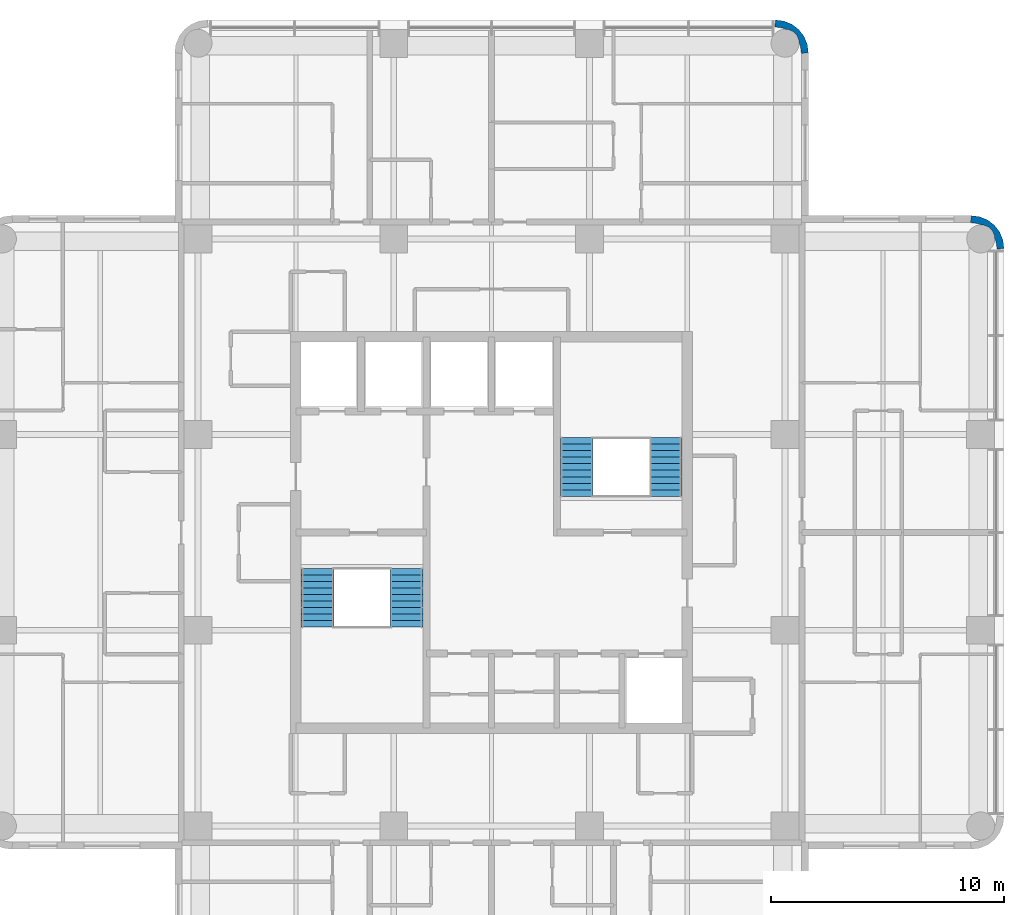
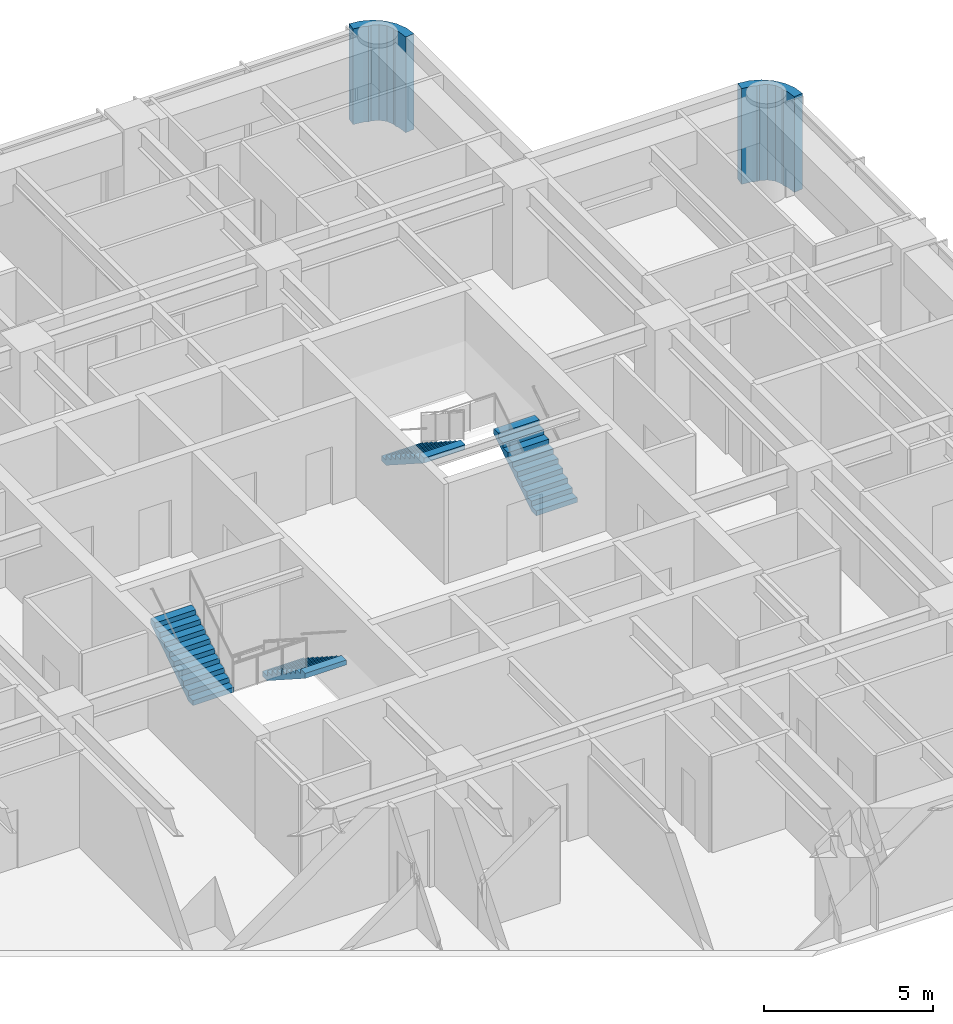
# One storey, part 9 of 10: 4 stair flights, 2 walls, 2 elements without a shape of their own.
"""IFC4 building model written with IfcOpenShell, lengths in metres."""

from ifc_helpers import new_model, si_unit, direction, frame, origin, place, context, subcontext, project, spatial, polyline, outline, extrude, material, layer, layer_set, type_object, element, aggregate, save


model = new_model("IFC4")

# Units and contexts
model_context = context("Model", 3, precision=1e-05, world=origin(), true_north=direction((0.0, 1.0)))
body_context = subcontext(model_context, "Body", "Model", "MODEL_VIEW")
ifc_project = project(units=[si_unit("LENGTHUNIT", "METRE"), si_unit("AREAUNIT", "SQUARE_METRE"), si_unit("VOLUMEUNIT", "CUBIC_METRE"), si_unit("PLANEANGLEUNIT", "RADIAN"), si_unit("MASSUNIT", "GRAM", prefix="KILO")], contexts=[model_context])

# Site, building, storey
site_placement = place(None, origin())
site = spatial("IfcSite", under=ifc_project, at=site_placement, CompositionType="ELEMENT")
building_placement = place(site_placement, origin())
building = spatial("IfcBuilding", under=site, at=building_placement, Name="Torre Alcanfor", CompositionType="ELEMENT")
storey_placement = place(building_placement, frame((0.0, 0.0, 272.10009765625)))
storey = spatial("IfcBuildingStorey", under=building, at=storey_placement, Name="L71", CompositionType="ELEMENT", Elevation=272.10009765625)

# Walls
ifc_material_1 = material(Name="Limestone cladding", Category="masonry")
ifc_layer_1 = layer(ifc_material_1, 0.0400390625, Name="Facing")
ifc_material_2 = material(Name="Ventilated air cavity")
ifc_layer_2 = layer(ifc_material_2, 0.02001953125, ventilated=True, Name="Ventilated joint")
ifc_material_3 = material(Name="Mineral wool insulation", Category="insulation")
ifc_layer_3 = layer(ifc_material_3, 0.10009765625, Name="Insulation")
ifc_material_4 = material(Name="Concrete f'c 35 MPa", Category="concrete")
ifc_layer_4 = layer(ifc_material_4, 0.139892578125, Name="Backing")
ifc_layer_set = layer_set([ifc_layer_1, ifc_layer_2, ifc_layer_3, ifc_layer_4], Name="Rounded corner pier stone-clad 300")
wall_type = type_object("IfcWallType", Name="Rounded corner pier stone-clad 300", PredefinedType="SOLIDWALL", material=ifc_layer_set)
wall_1_placement = place(storey_placement, frame((50.975898117, 41.638418254, 0.0), z_axis=(0.0, 0.0, 1.0), x_axis=(0.707106781187, 0.707106781187, 0.0)))
element("IfcWall", 1, at=wall_1_placement, inside=storey, type_object=wall_type, Name="Corner pier L71 18", PredefinedType="SOLIDWALL", context=body_context, shape_type="SweptSolid", body=[
    extrude(outline(polyline([(0.23318643990489343, 0.11416555226925765), (0.04674226908422171, -0.12890240376361806), (0.032758956272671336, -0.14288571657516844), (0.27271950945853585, -0.32691301851483145), (0.4952440800028376, -0.03706138628528721), (0.6350772081183413, 0.3006097230899294), (0.682724051772513, 0.6627947882582343), (0.6350772081183413, 1.0253251204095404), (0.4952440800028376, 1.3629962297847569), (0.27271950945853585, 1.6528478620143012), (0.032586322781170685, 1.4686479265831376), (0.04656963559272109, 1.454664613771587), (0.2330138064133928, 1.2115966577387114), (0.2922270939981062, 1.0691740272506984), (0.35800045425984317, 1.0034006669889615), (0.44949620475517277, 0.7824297978681654), (0.4493235712636722, 0.5433324121398039), (0.3578278207683425, 0.32236154301900777), (0.29222709399810615, 0.2567608162487714), (0.23318643990489343, 0.11416555226925765)])), origin(), (0.0, 0.0, 1.0), 3.449951171875),
])
wall_2_placement = place(storey_placement, frame((42.575898117, 50.038418254, 0.0), z_axis=(0.0, 0.0, 1.0), x_axis=(0.707106781187, 0.707106781187, 0.0)))
element("IfcWall", 2, at=wall_2_placement, inside=storey, type_object=wall_type, Name="Corner pier L71 19", PredefinedType="SOLIDWALL", context=body_context, shape_type="SweptSolid", body=[
    extrude(outline(polyline([(0.2330138064133928, 0.11420007896755979), (0.0465696355927211, -0.12886787706531594), (0.03258632278117072, -0.14285118987686632), (0.27271950945853585, -0.32705112530802993), (0.4952440800028376, -0.03719949307848569), (0.6350772081183413, 0.3004716162967309), (0.682724051772513, 0.663001948448037), (0.6350772081183413, 1.025187013616342), (0.4952440800028376, 1.3628581229915584), (0.27271950945853596, 1.6527097552211027), (0.032758956272671336, 1.4686824532814398), (0.046742269084221744, 1.4546991404698892), (0.23318643990489346, 1.2116311844370136), (0.2922270939981061, 1.0690359204575), (0.35782782076834246, 1.0034351936872634), (0.4493235712636722, 0.7824643245664674), (0.44949620475517277, 0.543366938838106), (0.3580004542598431, 0.3223960697173099), (0.29222709399810615, 0.2566227094555729), (0.2330138064133928, 0.11420007896755979)])), origin(), (0.0, 0.0, 1.0), 3.449951171875),
])

# Stair, stair flights
ifc_material_5 = material(Name="Concrete f'c 35 MPa", Category="concrete")
stair_type_1 = type_object("IfcStairType", Name="Exit stair S1 1400 wide", PredefinedType="HALF_TURN_STAIR", material=ifc_material_5)
stair_1_placement = place(storey_placement, origin())
stair_1 = element("IfcStair", 3, at=stair_1_placement, inside=storey, type_object=stair_type_1, Name="Stair S1 L71 to L72", PredefinedType="HALF_TURN_STAIR")
ifc_material_6 = material(Name="Concrete f'c 35 MPa", Category="concrete")
stair_flight_type = type_object("IfcStairFlightType", Name="Stair flight 1400", PredefinedType="STRAIGHT", material=ifc_material_6)
stair_flight_1_placement = place(storey_placement, frame((25.75, 27.85009765625, 0.0), z_axis=(0.0, 0.0, 1.0), x_axis=(0.0, -1.0, 0.0)))
stair_flight_1 = element("IfcStairFlight", 4, at=stair_flight_1_placement, type_object=stair_flight_type, Name="S1 flight 1", NumberOfRisers=10, NumberOfTreads=9, PredefinedType="STRAIGHT", RiserHeight=0.18, TreadLength=0.28, context=body_context, shape_type="SweptSolid", body=[
    extrude(outline(polyline([(0.0, 0.0), (0.0, 0.179931640625), (0.280029296875, 0.179931640625), (0.280029296875, 0.360107421875), (0.56005859375, 0.360107421875), (0.56005859375, 0.5400390625), (0.840087890625, 0.5400390625), (0.840087890625, 0.719970703125), (1.1201171875, 0.719970703125), (1.1201171875, 0.89990234375), (1.39990234375, 0.89990234375), (1.39990234375, 1.080078125), (1.679931640625, 1.080078125), (1.679931640625, 1.260009765625), (1.9599609375, 1.260009765625), (1.9599609375, 1.43994140625), (2.239990234375, 1.43994140625), (2.239990234375, 1.6201171875), (2.52001953125, 1.6201171875), (2.52001953125, 1.800048828125), (2.52001953125, 1.44189453125), (0.277099609375, 0.0), (0.0, 0.0)])), frame((0.0, 0.699951171875, 0.0), z_axis=(0.0, -1.0, 0.0), x_axis=(1.0, 0.0, 0.0)), (0.0, 0.0, 1.0), 1.39990234375),
])
stair_flight_2_placement = place(storey_placement, frame((21.925048828125, 25.330078125, 1.7998046875), z_axis=(0.0, 0.0, 1.0), x_axis=(0.0, 1.0, 0.0)))
stair_flight_2 = element("IfcStairFlight", 5, at=stair_flight_2_placement, type_object=stair_flight_type, Name="S1 flight 2", NumberOfRisers=10, NumberOfTreads=9, PredefinedType="STRAIGHT", RiserHeight=0.18, TreadLength=0.28, context=body_context, shape_type="SweptSolid", body=[
    extrude(outline(polyline([(0.0, 0.0), (0.0, 0.179931640625), (0.280029296875, 0.179931640625), (0.280029296875, 0.360107421875), (0.56005859375, 0.360107421875), (0.56005859375, 0.5400390625), (0.840087890625, 0.5400390625), (0.840087890625, 0.719970703125), (1.1201171875, 0.719970703125), (1.1201171875, 0.89990234375), (1.39990234375, 0.89990234375), (1.39990234375, 1.080078125), (1.679931640625, 1.080078125), (1.679931640625, 1.260009765625), (1.9599609375, 1.260009765625), (1.9599609375, 1.43994140625), (2.239990234375, 1.43994140625), (2.239990234375, 1.6201171875), (2.52001953125, 1.6201171875), (2.52001953125, 1.800048828125), (2.52001953125, 1.44189453125), (0.277099609375, 0.0), (0.0, 0.0)])), frame((0.0, 0.699951171875, 0.0), z_axis=(0.0, -1.0, 0.0), x_axis=(1.0, 0.0, 0.0)), (0.0, 0.0, 1.0), 1.39990234375),
])
aggregate(stair_1, [stair_flight_1, stair_flight_2])

ifc_material_7 = material(Name="Concrete f'c 35 MPa", Category="concrete")
stair_type_2 = type_object("IfcStairType", Name="Exit stair S2 1400 wide", PredefinedType="HALF_TURN_STAIR", material=ifc_material_7)
stair_2_placement = place(storey_placement, origin())
stair_2 = element("IfcStair", 6, at=stair_2_placement, inside=storey, type_object=stair_type_2, Name="Stair S2 L71 to L72", PredefinedType="HALF_TURN_STAIR")
stair_flight_3_placement = place(storey_placement, frame((36.875, 30.949951171875, 0.0), z_axis=(0.0, 0.0, 1.0), x_axis=(0.0, 1.0, 0.0)))
stair_flight_3 = element("IfcStairFlight", 7, at=stair_flight_3_placement, type_object=stair_flight_type, Name="S2 flight 1", NumberOfRisers=10, NumberOfTreads=9, PredefinedType="STRAIGHT", RiserHeight=0.18, TreadLength=0.28, context=body_context, shape_type="SweptSolid", body=[
    extrude(outline(polyline([(0.0, 0.0), (0.0, 0.179931640625), (0.280029296875, 0.179931640625), (0.280029296875, 0.360107421875), (0.56005859375, 0.360107421875), (0.56005859375, 0.5400390625), (0.840087890625, 0.5400390625), (0.840087890625, 0.719970703125), (1.1201171875, 0.719970703125), (1.1201171875, 0.89990234375), (1.39990234375, 0.89990234375), (1.39990234375, 1.080078125), (1.679931640625, 1.080078125), (1.679931640625, 1.260009765625), (1.9599609375, 1.260009765625), (1.9599609375, 1.43994140625), (2.239990234375, 1.43994140625), (2.239990234375, 1.6201171875), (2.52001953125, 1.6201171875), (2.52001953125, 1.800048828125), (2.52001953125, 1.44189453125), (0.277099609375, 0.0), (0.0, 0.0)])), frame((0.0, 0.699951171875, 0.0), z_axis=(0.0, -1.0, 0.0), x_axis=(1.0, 0.0, 0.0)), (0.0, 0.0, 1.0), 1.39990234375),
])
stair_flight_4_placement = place(storey_placement, frame((33.050048828125, 33.469970703125, 1.7998046875), z_axis=(0.0, 0.0, 1.0), x_axis=(0.0, -1.0, 0.0)))
stair_flight_4 = element("IfcStairFlight", 8, at=stair_flight_4_placement, type_object=stair_flight_type, Name="S2 flight 2", NumberOfRisers=10, NumberOfTreads=9, PredefinedType="STRAIGHT", RiserHeight=0.18, TreadLength=0.28, context=body_context, shape_type="SweptSolid", body=[
    extrude(outline(polyline([(0.0, 0.0), (0.0, 0.179931640625), (0.280029296875, 0.179931640625), (0.280029296875, 0.360107421875), (0.56005859375, 0.360107421875), (0.56005859375, 0.5400390625), (0.840087890625, 0.5400390625), (0.840087890625, 0.719970703125), (1.1201171875, 0.719970703125), (1.1201171875, 0.89990234375), (1.39990234375, 0.89990234375), (1.39990234375, 1.080078125), (1.679931640625, 1.080078125), (1.679931640625, 1.260009765625), (1.9599609375, 1.260009765625), (1.9599609375, 1.43994140625), (2.239990234375, 1.43994140625), (2.239990234375, 1.6201171875), (2.52001953125, 1.6201171875), (2.52001953125, 1.800048828125), (2.52001953125, 1.44189453125), (0.277099609375, 0.0), (0.0, 0.0)])), frame((0.0, 0.699951171875, 0.0), z_axis=(0.0, -1.0, 0.0), x_axis=(1.0, 0.0, 0.0)), (0.0, 0.0, 1.0), 1.39990234375),
])
aggregate(stair_2, [stair_flight_3, stair_flight_4])

save(model, "model.ifc")
